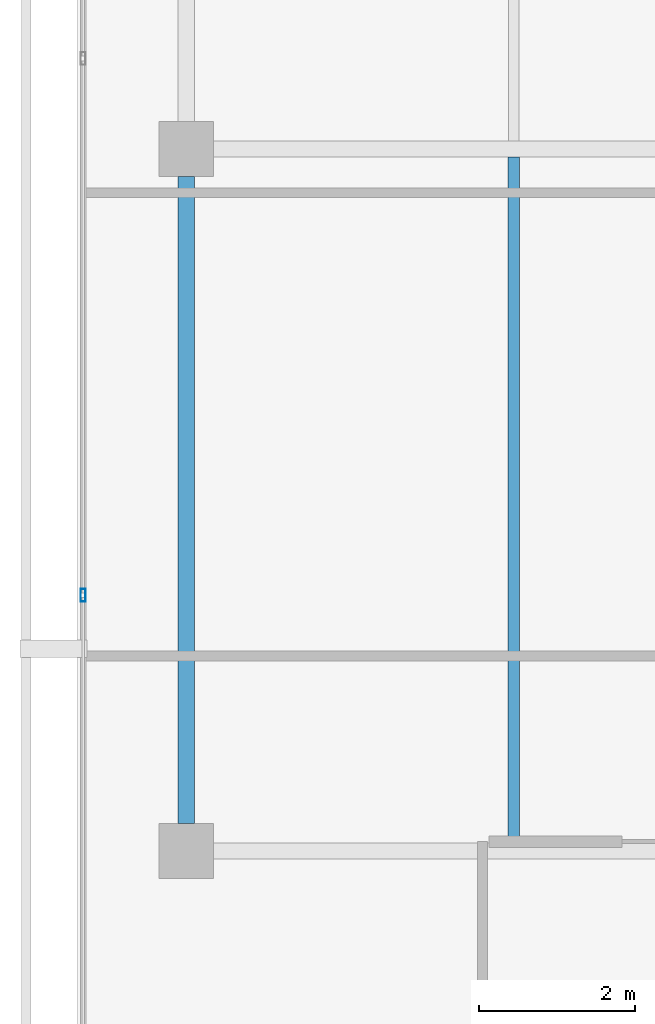
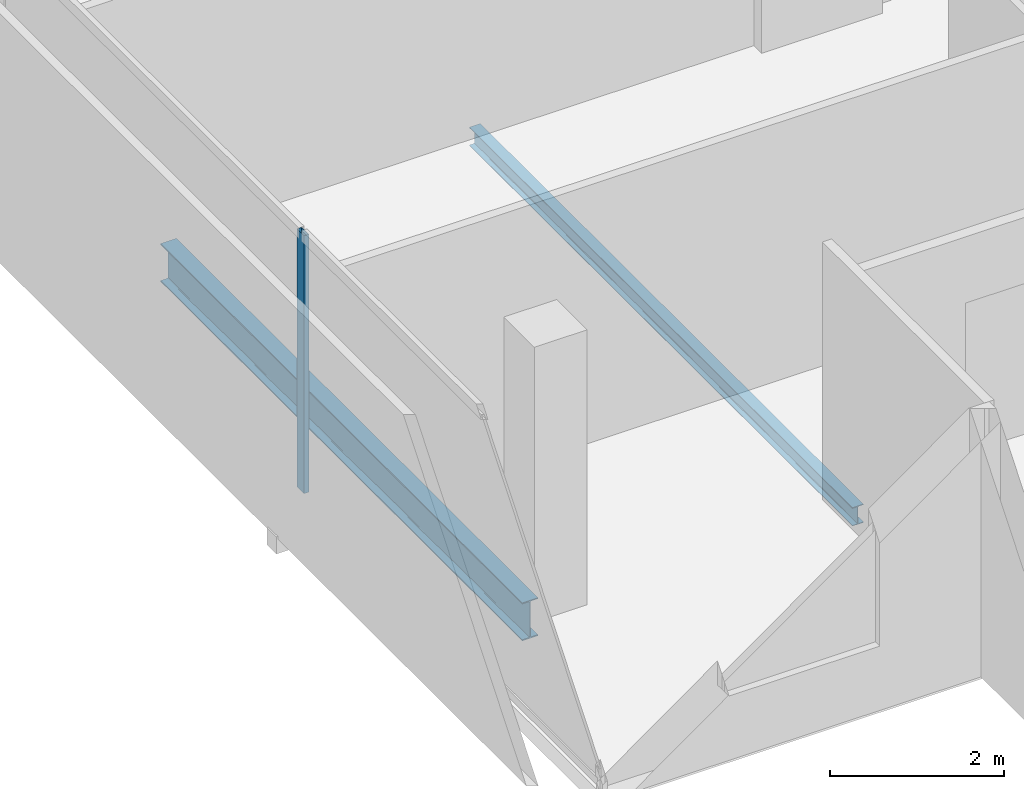
# One storey, part 4 of 25: 2 beams, 1 member, 1 element without a shape of its own.
"""IFC4 building model written with IfcOpenShell, lengths in metres."""

from ifc_helpers import new_model, si_unit, direction, frame, origin, origin_2d, place, context, subcontext, project, spatial, hollow_rectangle, i_section, extrude, material, layer, layer_set, material_profile, profile_set, type_object, element, aggregate, save


model = new_model("IFC4")

# Units and contexts
model_context = context("Model", 3, precision=1e-05, world=origin(), true_north=direction((0.0, 1.0)))
body_context = subcontext(model_context, "Body", "Model", "MODEL_VIEW")
ifc_project = project(units=[si_unit("LENGTHUNIT", "METRE"), si_unit("AREAUNIT", "SQUARE_METRE"), si_unit("VOLUMEUNIT", "CUBIC_METRE"), si_unit("PLANEANGLEUNIT", "RADIAN"), si_unit("MASSUNIT", "GRAM", prefix="KILO")], contexts=[model_context])

# Site, building, storey
site_placement = place(None, origin())
site = spatial("IfcSite", under=ifc_project, at=site_placement, CompositionType="ELEMENT")
building_placement = place(site_placement, origin())
building = spatial("IfcBuilding", under=site, at=building_placement, Name="Maruvema Waterfront Hotel and Observation Tower", CompositionType="ELEMENT")
storey_placement = place(building_placement, frame((0.0, 0.0, 270.199951171875)))
storey = spatial("IfcBuildingStorey", under=building, at=storey_placement, Name="L66", CompositionType="ELEMENT", Elevation=270.199951171875)

# Curtain wall, member
ifc_material_1 = material(Name="Anodised bronze aluminium and solar-control low-E IGU", Category="aluminium")
ifc_layer = layer(ifc_material_1, 0.159912109375, Name="Zone 3 Champagne Inner Thermal Curtain Wall System CW-04")
ifc_layer_set = layer_set([ifc_layer], Name="Anodised bronze aluminium and solar-control low-E IGU")
curtain_wall_type = type_object("IfcCurtainWallType", Name="Zone 3 Champagne Inner Thermal Curtain Wall System CW-04", PredefinedType="USERDEFINED", material=ifc_layer_set)
curtain_wall_placement = place(storey_placement, origin())
curtain_wall = element("IfcCurtainWall", 1, at=curtain_wall_placement, inside=storey, type_object=curtain_wall_type, Name="L66 Curtain Wall CW-L66-W", ObjectType="UNITISED CURTAIN WALL", PredefinedType="USERDEFINED")
ifc_material_2 = material(Name="Anodised architectural bronze aluminium", Category="aluminium")
ifc_material_profile_1 = material_profile(ifc_material_2, hollow_rectangle(XDim=0.06494140625, YDim=0.1650390625, WallThickness=0.00390625, at=origin_2d()), Name="ALU-M65x165")
ifc_profile_set_1 = profile_set([ifc_material_profile_1], Name="Anodised architectural bronze aluminium")
member_type = type_object("IfcMemberType", Name="Curtain Wall Primary Mullion ALU-M65x165", PredefinedType="MULLION", material=ifc_profile_set_1)
member_placement = place(storey_placement, frame((15.47998046875, 21.280029296875, 0.0), z_axis=(0.0, 0.0, 1.0), x_axis=(1.0, 0.0, 0.0)))
member = element("IfcMember", 2, at=member_placement, type_object=member_type, Name="CW-04 mullion 5", PredefinedType="MULLION", context=body_context, shape_type="SweptSolid", body=[
    extrude(hollow_rectangle(XDim=0.06494140625, YDim=0.1650390625, WallThickness=0.00390625, at=origin_2d()), origin(), (0.0, 0.0, 1.0), 3.610107421875),
])
aggregate(curtain_wall, [member])

# Beams
ifc_material_3 = material(Name="Steel ASTM A572 Grade 50", Category="steel")
ifc_material_profile_2 = material_profile(ifc_material_3, i_section(OverallWidth=0.208984375, OverallDepth=0.532958984375, WebThickness=0.01025390625, FlangeThickness=0.015625, FilletRadius=0.014892578125, at=origin_2d()), Name="W530x92.0")
ifc_profile_set_2 = profile_set([ifc_material_profile_2], Name="Steel ASTM A572 Grade 50")
beam_type_1 = type_object("IfcBeamType", Name="Primary Floor Girder W530x92.0", PredefinedType="BEAM", material=ifc_profile_set_2)
beam_1_placement = place(storey_placement, frame((16.800048828125, 18.35009765625, -0.50634765625), z_axis=(0.0, 1.0, 0.0), x_axis=(-1.0, 0.0, 0.0)))
element("IfcBeam", 3, at=beam_1_placement, inside=storey, type_object=beam_type_1, Name="L66 Floor Girder NS-01", PredefinedType="BEAM", context=body_context, shape_type="SweptSolid", body=[
    extrude(i_section(OverallWidth=0.208984375, OverallDepth=0.532958984375, WebThickness=0.01025390625, FlangeThickness=0.015625, FilletRadius=0.014892578125, at=origin_2d()), origin(), (0.0, 0.0, 1.0), 8.2998046875),
])
ifc_material_4 = material(Name="Steel ASTM A572 Grade 50", Category="steel")
ifc_material_profile_3 = material_profile(ifc_material_4, i_section(OverallWidth=0.14599609375, OverallDepth=0.258056640625, WebThickness=0.006103515625, FlangeThickness=0.009033203125, FilletRadius=0.012939453125, at=origin_2d()), Name="W250x32.7")
ifc_profile_set_3 = profile_set([ifc_material_profile_3], Name="Steel ASTM A572 Grade 50")
beam_type_2 = type_object("IfcBeamType", Name="Secondary Floor Joist W250x32.7", PredefinedType="JOIST", material=ifc_profile_set_3)
beam_2_placement = place(storey_placement, frame((21.0, 18.1044921875, -0.368896484375), z_axis=(0.0, 1.0, 0.0), x_axis=(-1.0, 0.0, 0.0)))
element("IfcBeam", 4, at=beam_2_placement, inside=storey, type_object=beam_type_2, Name="L66 Secondary Floor Joist JS-01", PredefinedType="JOIST", context=body_context, shape_type="SweptSolid", body=[
    extrude(i_section(OverallWidth=0.14599609375, OverallDepth=0.258056640625, WebThickness=0.006103515625, FlangeThickness=0.009033203125, FilletRadius=0.012939453125, at=origin_2d()), origin(), (0.0, 0.0, 1.0), 8.791015625),
])

save(model, "model.ifc")
